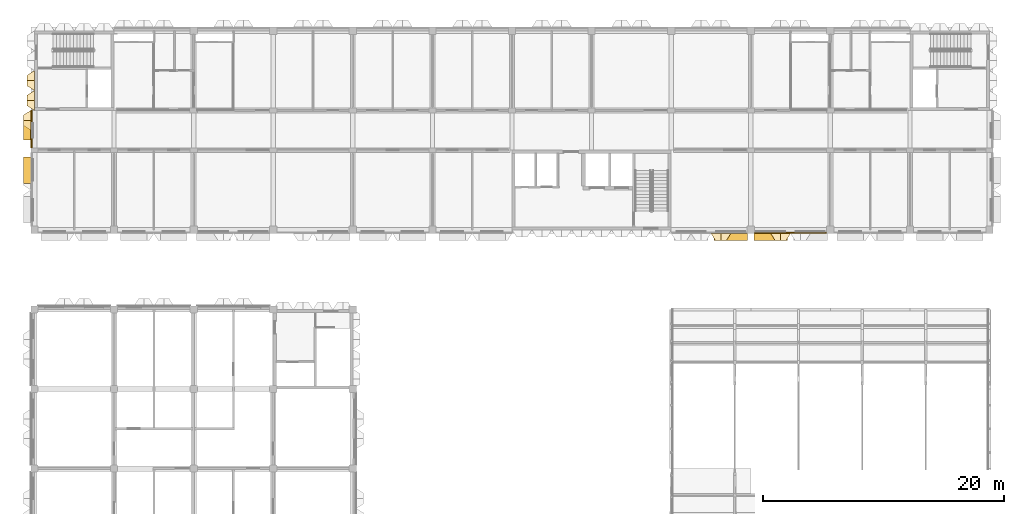
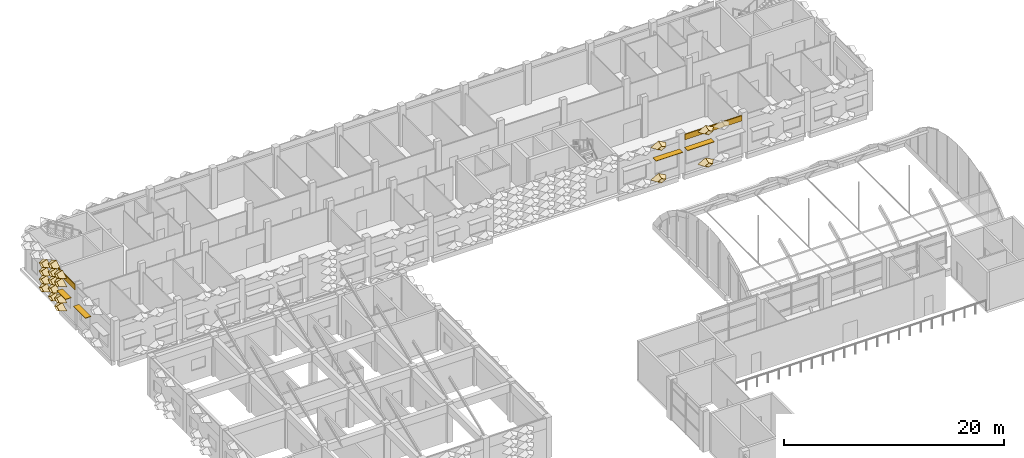
# One storey, part 90 of 102: 19 coverings, 4 shading devices.
"""IFC4 building model written with IfcOpenShell, lengths in metres."""

from ifc_helpers import new_model, entity, si_unit, direction, frame, frame_2d, origin, origin_2d, place, context, subcontext, project, spatial, rectangle, extrude, material, layer, layer_set, type_object, element, save


model = new_model("IFC4")

# Units and contexts
model_context = context("Model", 3, precision=1e-05, world=origin(), true_north=direction((0.0, 1.0)))
body_context = subcontext(model_context, "Body", "Model", "MODEL_VIEW")
ifc_project = project(units=[si_unit("LENGTHUNIT", "METRE"), si_unit("AREAUNIT", "SQUARE_METRE"), si_unit("VOLUMEUNIT", "CUBIC_METRE"), si_unit("PLANEANGLEUNIT", "RADIAN"), si_unit("MASSUNIT", "GRAM", prefix="KILO")], contexts=[model_context])

# Site, building, storey
site_placement = place(None, origin())
site = spatial("IfcSite", under=ifc_project, at=site_placement, CompositionType="ELEMENT")
building_placement = place(site_placement, origin())
building = spatial("IfcBuilding", under=site, at=building_placement, Name="Lantern Court Research Institute", CompositionType="ELEMENT")
storey_placement = place(building_placement, frame((0.0, 0.0, 9.89990234375)))
storey = spatial("IfcBuildingStorey", under=building, at=storey_placement, Name="L02", CompositionType="ELEMENT", Elevation=9.89990234375)

# Shading devices
ifc_material_1 = material(Name="Aluminium alloy 6063-T6", Category="aluminium")
ifc_layer_1 = layer(ifc_material_1, 0.050048828125)
ifc_layer_set_1 = layer_set([ifc_layer_1], Name="Aluminium alloy 6063-T6")
shading_device_type_1 = type_object("IfcShadingDeviceType", Name="Brise-soleil blade 1600 x 600 x 50 aluminium", PredefinedType="USERDEFINED", material=ifc_layer_set_1)
shading_device_1_placement = place(storey_placement, frame((-0.60009765625, 90.75, 2.39990234375), z_axis=(0.0, 0.0, 1.0), x_axis=(0.0, 1.0, 0.0)))
element("IfcShadingDevice", 1, at=shading_device_1_placement, inside=storey, type_object=shading_device_type_1, Name="Brise-soleil blade L02 W", ObjectType="LOUVRE", PredefinedType="USERDEFINED", context=body_context, shape_type="SweptSolid", body=[
    extrude(rectangle(XDim=1.60009765625, YDim=0.60009765625, at=origin_2d()), origin(), (0.0, 0.0, 1.0), 0.050048828125),
])
ifc_material_2 = material(Name="Aluminium alloy 6063-T6", Category="aluminium")
ifc_layer_2 = layer(ifc_material_2, 0.050048828125)
ifc_layer_set_2 = layer_set([ifc_layer_2], Name="Aluminium alloy 6063-T6")
shading_device_type_2 = type_object("IfcShadingDeviceType", Name="Brise-soleil blade 2200 x 600 x 50 aluminium", PredefinedType="USERDEFINED", material=ifc_layer_set_2)
shading_device_2_placement = place(storey_placement, frame((-0.60009765625, 87.449951171875, 2.5), z_axis=(0.0, 0.0, 1.0), x_axis=(0.0, 1.0, 0.0)))
element("IfcShadingDevice", 2, at=shading_device_2_placement, inside=storey, type_object=shading_device_type_2, Name="Brise-soleil blade L02 W", ObjectType="LOUVRE", PredefinedType="USERDEFINED", context=body_context, shape_type="SweptSolid", body=[
    extrude(rectangle(XDim=2.199951171875, YDim=0.60009765625, at=origin_2d()), origin(), (0.0, 0.0, 1.0), 0.050048828125),
])
ifc_material_3 = material(Name="Aluminium alloy 6063-T6", Category="aluminium")
ifc_layer_3 = layer(ifc_material_3, 0.050048828125)
ifc_layer_set_3 = layer_set([ifc_layer_3], Name="Aluminium alloy 6063-T6")
shading_device_type_3 = type_object("IfcShadingDeviceType", Name="Brise-soleil blade 2800 x 600 x 50 aluminium", PredefinedType="USERDEFINED", material=ifc_layer_set_3)
for number, where, z_axis, x_axis, name in (
    (3, (57.75, 81.89990234375, 2.80029296875), (0.0, 0.0, 1.0), (-1.0, 0.0, 0.0), "Brise-soleil blade L02 S"),
    (4, (61.050048828125, 81.89990234375, 2.80029296875), (0.0, 0.0, 1.0), (-1.0, 0.0, 0.0), "Brise-soleil blade L02 S"),
):
    element("IfcShadingDevice", number, at=place(storey_placement, frame(where, z_axis=z_axis, x_axis=x_axis)), inside=storey, type_object=shading_device_type_3, Name=name, ObjectType="LOUVRE", PredefinedType="USERDEFINED", context=body_context, shape_type="SweptSolid", body=[
        extrude(rectangle(XDim=2.800048828125, YDim=0.60009765625, at=origin_2d()), origin(), (0.0, 0.0, 1.0), 0.050048828125),
    ])

# Coverings
ifc_material_4 = material(Name="Aluminium composite panel with mineral wool insulation", Category="aluminium")
ifc_layer_4 = layer(ifc_material_4, 0.10009765625)
ifc_layer_set_4 = layer_set([ifc_layer_4], Name="Aluminium composite panel with mineral wool insulation")
covering_type_1 = type_object("IfcCoveringType", Name="Edge fascia panel 100 aluminium faced", PredefinedType="CLADDING", material=ifc_layer_set_4)
covering_1_placement = place(storey_placement, frame((65.699951171875, 82.25, 3.650146484375), z_axis=(0.0, 0.0, 1.0), x_axis=(-1.0, 0.0, 0.0)))
element("IfcCovering", 5, at=covering_1_placement, inside=storey, type_object=covering_type_1, Name="Edge fascia V6S L02 08", PredefinedType="CLADDING", context=body_context, shape_type="SweptSolid", body=[
    extrude(rectangle(XDim=6.0, YDim=0.10009765625, at=frame_2d((3.0, 0.0))), origin(), (0.0, 0.0, 1.0), 0.599853515625),
])
covering_2_placement = place(storey_placement, frame((-0.25, 89.300048828125, 3.650146484375), z_axis=(0.0, 0.0, 1.0), x_axis=(0.0, 1.0, 0.0)))
element("IfcCovering", 6, at=covering_2_placement, inside=storey, type_object=covering_type_1, Name="Edge fascia V6W L02 02", PredefinedType="CLADDING", context=body_context, shape_type="SweptSolid", body=[
    extrude(rectangle(XDim=3.099853515625, YDim=0.10009765625, at=frame_2d((1.5498046875, 0.0))), origin(), (0.0, 0.0, 1.0), 0.599853515625),
])
ifc_material_5 = material(Name="Anodised aluminium", Category="aluminium")
ifc_layer_5 = layer(ifc_material_5, 0.01611328125)
ifc_layer_set_5 = layer_set([ifc_layer_5], Name="Anodised aluminium")
covering_type_2 = type_object("IfcCoveringType", Name="Fin cassette 1650 x 900 x 600 aluminium", PredefinedType="CLADDING", material=ifc_layer_set_5)
covering_3_placement = place(storey_placement, frame((56.925048828125, 82.199951171875, 0.4501953125), z_axis=(0.0, -1.0, 0.0), x_axis=(1.0, 0.0, 0.0)))
cartesian_point_1 = entity("IfcCartesianPoint", [0.824951171875, 0.0])
cartesian_point_2 = entity("IfcCartesianPoint", [0.79150390625, 0.0])
cartesian_point_3 = entity("IfcCartesianPoint", [0.44189453125, 0.0])
cartesian_point_4 = entity("IfcCartesianPoint", [0.43359375, 0.0])
element("IfcCovering", 7, at=covering_3_placement, inside=storey, type_object=covering_type_2, Name="Fin cassette V6S-L02 1.35", PredefinedType="CLADDING", context=body_context, shape_type="SweptSolid", body=[
    entity("IfcExtrudedAreaSolidTapered", entity("IfcArbitraryProfileDefWithVoids", "AREA", None, entity("IfcPolyline", [cartesian_point_1, entity("IfcCartesianPoint", [0.0, 0.449951171875]), entity("IfcCartesianPoint", [-0.824951171875, 0.0]), entity("IfcCartesianPoint", [0.0, -0.449951171875]), cartesian_point_1]), [entity("IfcPolyline", [cartesian_point_2, entity("IfcCartesianPoint", [0.0, 0.431884765625]), entity("IfcCartesianPoint", [-0.79150390625, 0.0]), entity("IfcCartesianPoint", [0.0, -0.431884765625]), cartesian_point_2])]), entity("IfcAxis2Placement3D", entity("IfcCartesianPoint", [0.0, 0.0, 0.0])), entity("IfcDirection", [0.0, 0.0, 1.0]), 0.60009765625, entity("IfcArbitraryProfileDefWithVoids", "AREA", None, entity("IfcPolyline", [cartesian_point_3, entity("IfcCartesianPoint", [0.0, 0.240966796875]), entity("IfcCartesianPoint", [-0.44189453125, 0.0]), entity("IfcCartesianPoint", [0.0, -0.240966796875]), cartesian_point_3]), [entity("IfcPolyline", [cartesian_point_4, entity("IfcCartesianPoint", [0.0, 0.236572265625]), entity("IfcCartesianPoint", [-0.43359375, 0.0]), entity("IfcCartesianPoint", [0.0, -0.236572265625]), cartesian_point_4])])),
])
covering_4_placement = place(storey_placement, frame((61.875, 82.199951171875, 0.4501953125), z_axis=(0.0, -1.0, 0.0), x_axis=(1.0, 0.0, 0.0)))
cartesian_point_5 = entity("IfcCartesianPoint", [0.824951171875, 0.0])
cartesian_point_6 = entity("IfcCartesianPoint", [0.79150390625, 0.0])
cartesian_point_7 = entity("IfcCartesianPoint", [0.44189453125, 0.0])
cartesian_point_8 = entity("IfcCartesianPoint", [0.43359375, 0.0])
element("IfcCovering", 8, at=covering_4_placement, inside=storey, type_object=covering_type_2, Name="Fin cassette V6S-L02 1.38", PredefinedType="CLADDING", context=body_context, shape_type="SweptSolid", body=[
    entity("IfcExtrudedAreaSolidTapered", entity("IfcArbitraryProfileDefWithVoids", "AREA", None, entity("IfcPolyline", [cartesian_point_5, entity("IfcCartesianPoint", [0.0, 0.449951171875]), entity("IfcCartesianPoint", [-0.824951171875, 0.0]), entity("IfcCartesianPoint", [0.0, -0.449951171875]), cartesian_point_5]), [entity("IfcPolyline", [cartesian_point_6, entity("IfcCartesianPoint", [0.0, 0.431884765625]), entity("IfcCartesianPoint", [-0.79150390625, 0.0]), entity("IfcCartesianPoint", [0.0, -0.431884765625]), cartesian_point_6])]), entity("IfcAxis2Placement3D", entity("IfcCartesianPoint", [0.0, 0.0, 0.0])), entity("IfcDirection", [0.0, 0.0, 1.0]), 0.60009765625, entity("IfcArbitraryProfileDefWithVoids", "AREA", None, entity("IfcPolyline", [cartesian_point_7, entity("IfcCartesianPoint", [0.0, 0.240966796875]), entity("IfcCartesianPoint", [-0.44189453125, 0.0]), entity("IfcCartesianPoint", [0.0, -0.240966796875]), cartesian_point_7]), [entity("IfcPolyline", [cartesian_point_8, entity("IfcCartesianPoint", [0.0, 0.236572265625]), entity("IfcCartesianPoint", [-0.43359375, 0.0]), entity("IfcCartesianPoint", [0.0, -0.236572265625]), cartesian_point_8])])),
])
covering_5_placement = place(storey_placement, frame((56.925048828125, 82.199951171875, 4.050048828125), z_axis=(0.0, -1.0, 0.0), x_axis=(1.0, 0.0, 0.0)))
cartesian_point_9 = entity("IfcCartesianPoint", [0.824951171875, 0.0])
cartesian_point_10 = entity("IfcCartesianPoint", [0.79150390625, 0.0])
cartesian_point_11 = entity("IfcCartesianPoint", [0.44189453125, 0.0])
cartesian_point_12 = entity("IfcCartesianPoint", [0.43359375, 0.0])
element("IfcCovering", 9, at=covering_5_placement, inside=storey, type_object=covering_type_2, Name="Fin cassette V6S-L02 5.35", PredefinedType="CLADDING", context=body_context, shape_type="SweptSolid", body=[
    entity("IfcExtrudedAreaSolidTapered", entity("IfcArbitraryProfileDefWithVoids", "AREA", None, entity("IfcPolyline", [cartesian_point_9, entity("IfcCartesianPoint", [0.0, 0.449951171875]), entity("IfcCartesianPoint", [-0.824951171875, 0.0]), entity("IfcCartesianPoint", [0.0, -0.449951171875]), cartesian_point_9]), [entity("IfcPolyline", [cartesian_point_10, entity("IfcCartesianPoint", [0.0, 0.431884765625]), entity("IfcCartesianPoint", [-0.79150390625, 0.0]), entity("IfcCartesianPoint", [0.0, -0.431884765625]), cartesian_point_10])]), entity("IfcAxis2Placement3D", entity("IfcCartesianPoint", [0.0, 0.0, 0.0])), entity("IfcDirection", [0.0, 0.0, 1.0]), 0.60009765625, entity("IfcArbitraryProfileDefWithVoids", "AREA", None, entity("IfcPolyline", [cartesian_point_11, entity("IfcCartesianPoint", [0.0, 0.240966796875]), entity("IfcCartesianPoint", [-0.44189453125, 0.0]), entity("IfcCartesianPoint", [0.0, -0.240966796875]), cartesian_point_11]), [entity("IfcPolyline", [cartesian_point_12, entity("IfcCartesianPoint", [0.0, 0.236572265625]), entity("IfcCartesianPoint", [-0.43359375, 0.0]), entity("IfcCartesianPoint", [0.0, -0.236572265625]), cartesian_point_12])])),
])
covering_6_placement = place(storey_placement, frame((61.875, 82.199951171875, 4.050048828125), z_axis=(0.0, -1.0, 0.0), x_axis=(1.0, 0.0, 0.0)))
cartesian_point_13 = entity("IfcCartesianPoint", [0.824951171875, 0.0])
cartesian_point_14 = entity("IfcCartesianPoint", [0.79150390625, 0.0])
cartesian_point_15 = entity("IfcCartesianPoint", [0.44189453125, 0.0])
cartesian_point_16 = entity("IfcCartesianPoint", [0.43359375, 0.0])
element("IfcCovering", 10, at=covering_6_placement, inside=storey, type_object=covering_type_2, Name="Fin cassette V6S-L02 5.38", PredefinedType="CLADDING", context=body_context, shape_type="SweptSolid", body=[
    entity("IfcExtrudedAreaSolidTapered", entity("IfcArbitraryProfileDefWithVoids", "AREA", None, entity("IfcPolyline", [cartesian_point_13, entity("IfcCartesianPoint", [0.0, 0.449951171875]), entity("IfcCartesianPoint", [-0.824951171875, 0.0]), entity("IfcCartesianPoint", [0.0, -0.449951171875]), cartesian_point_13]), [entity("IfcPolyline", [cartesian_point_14, entity("IfcCartesianPoint", [0.0, 0.431884765625]), entity("IfcCartesianPoint", [-0.79150390625, 0.0]), entity("IfcCartesianPoint", [0.0, -0.431884765625]), cartesian_point_14])]), entity("IfcAxis2Placement3D", entity("IfcCartesianPoint", [0.0, 0.0, 0.0])), entity("IfcDirection", [0.0, 0.0, 1.0]), 0.60009765625, entity("IfcArbitraryProfileDefWithVoids", "AREA", None, entity("IfcPolyline", [cartesian_point_15, entity("IfcCartesianPoint", [0.0, 0.240966796875]), entity("IfcCartesianPoint", [-0.44189453125, 0.0]), entity("IfcCartesianPoint", [0.0, -0.240966796875]), cartesian_point_15]), [entity("IfcPolyline", [cartesian_point_16, entity("IfcCartesianPoint", [0.0, 0.236572265625]), entity("IfcCartesianPoint", [-0.43359375, 0.0]), entity("IfcCartesianPoint", [0.0, -0.236572265625]), cartesian_point_16])])),
])
covering_7_placement = place(storey_placement, frame((0.0, 93.22509765625, 0.4501953125), z_axis=(-1.0, 0.0, 0.0), x_axis=(0.0, -1.0, 0.0)))
cartesian_point_17 = entity("IfcCartesianPoint", [0.824951171875, 0.0])
cartesian_point_18 = entity("IfcCartesianPoint", [0.79150390625, 0.0])
cartesian_point_19 = entity("IfcCartesianPoint", [0.44189453125, 0.0])
cartesian_point_20 = entity("IfcCartesianPoint", [0.43359375, 0.0])
element("IfcCovering", 11, at=covering_7_placement, inside=storey, type_object=covering_type_2, Name="Fin cassette V6W-L02 1.57", PredefinedType="CLADDING", context=body_context, shape_type="SweptSolid", body=[
    entity("IfcExtrudedAreaSolidTapered", entity("IfcArbitraryProfileDefWithVoids", "AREA", None, entity("IfcPolyline", [cartesian_point_17, entity("IfcCartesianPoint", [0.0, 0.449951171875]), entity("IfcCartesianPoint", [-0.824951171875, 0.0]), entity("IfcCartesianPoint", [0.0, -0.449951171875]), cartesian_point_17]), [entity("IfcPolyline", [cartesian_point_18, entity("IfcCartesianPoint", [0.0, 0.431884765625]), entity("IfcCartesianPoint", [-0.79150390625, 0.0]), entity("IfcCartesianPoint", [0.0, -0.431884765625]), cartesian_point_18])]), entity("IfcAxis2Placement3D", entity("IfcCartesianPoint", [0.0, 0.0, 0.0])), entity("IfcDirection", [0.0, 0.0, 1.0]), 0.60009765625, entity("IfcArbitraryProfileDefWithVoids", "AREA", None, entity("IfcPolyline", [cartesian_point_19, entity("IfcCartesianPoint", [0.0, 0.240966796875]), entity("IfcCartesianPoint", [-0.44189453125, 0.0]), entity("IfcCartesianPoint", [0.0, -0.240966796875]), cartesian_point_19]), [entity("IfcPolyline", [cartesian_point_20, entity("IfcCartesianPoint", [0.0, 0.236572265625]), entity("IfcCartesianPoint", [-0.43359375, 0.0]), entity("IfcCartesianPoint", [0.0, -0.236572265625]), cartesian_point_20])])),
])
covering_8_placement = place(storey_placement, frame((0.0, 94.875, 0.4501953125), z_axis=(-1.0, 0.0, 0.0), x_axis=(0.0, -1.0, 0.0)))
cartesian_point_21 = entity("IfcCartesianPoint", [0.824951171875, 0.0])
cartesian_point_22 = entity("IfcCartesianPoint", [0.79150390625, 0.0])
cartesian_point_23 = entity("IfcCartesianPoint", [0.44189453125, 0.0])
cartesian_point_24 = entity("IfcCartesianPoint", [0.43359375, 0.0])
element("IfcCovering", 12, at=covering_8_placement, inside=storey, type_object=covering_type_2, Name="Fin cassette V6W-L02 1.58", PredefinedType="CLADDING", context=body_context, shape_type="SweptSolid", body=[
    entity("IfcExtrudedAreaSolidTapered", entity("IfcArbitraryProfileDefWithVoids", "AREA", None, entity("IfcPolyline", [cartesian_point_21, entity("IfcCartesianPoint", [0.0, 0.449951171875]), entity("IfcCartesianPoint", [-0.824951171875, 0.0]), entity("IfcCartesianPoint", [0.0, -0.449951171875]), cartesian_point_21]), [entity("IfcPolyline", [cartesian_point_22, entity("IfcCartesianPoint", [0.0, 0.431884765625]), entity("IfcCartesianPoint", [-0.79150390625, 0.0]), entity("IfcCartesianPoint", [0.0, -0.431884765625]), cartesian_point_22])]), entity("IfcAxis2Placement3D", entity("IfcCartesianPoint", [0.0, 0.0, 0.0])), entity("IfcDirection", [0.0, 0.0, 1.0]), 0.60009765625, entity("IfcArbitraryProfileDefWithVoids", "AREA", None, entity("IfcPolyline", [cartesian_point_23, entity("IfcCartesianPoint", [0.0, 0.240966796875]), entity("IfcCartesianPoint", [-0.44189453125, 0.0]), entity("IfcCartesianPoint", [0.0, -0.240966796875]), cartesian_point_23]), [entity("IfcPolyline", [cartesian_point_24, entity("IfcCartesianPoint", [0.0, 0.236572265625]), entity("IfcCartesianPoint", [-0.43359375, 0.0]), entity("IfcCartesianPoint", [0.0, -0.236572265625]), cartesian_point_24])])),
])
covering_9_placement = place(storey_placement, frame((0.0, 93.22509765625, 1.35009765625), z_axis=(-1.0, 0.0, 0.0), x_axis=(0.0, -1.0, 0.0)))
cartesian_point_25 = entity("IfcCartesianPoint", [0.824951171875, 0.0])
cartesian_point_26 = entity("IfcCartesianPoint", [0.79150390625, 0.0])
cartesian_point_27 = entity("IfcCartesianPoint", [0.44189453125, 0.0])
cartesian_point_28 = entity("IfcCartesianPoint", [0.43359375, 0.0])
element("IfcCovering", 13, at=covering_9_placement, inside=storey, type_object=covering_type_2, Name="Fin cassette V6W-L02 2.57", PredefinedType="CLADDING", context=body_context, shape_type="SweptSolid", body=[
    entity("IfcExtrudedAreaSolidTapered", entity("IfcArbitraryProfileDefWithVoids", "AREA", None, entity("IfcPolyline", [cartesian_point_25, entity("IfcCartesianPoint", [0.0, 0.449951171875]), entity("IfcCartesianPoint", [-0.824951171875, 0.0]), entity("IfcCartesianPoint", [0.0, -0.449951171875]), cartesian_point_25]), [entity("IfcPolyline", [cartesian_point_26, entity("IfcCartesianPoint", [0.0, 0.431884765625]), entity("IfcCartesianPoint", [-0.79150390625, 0.0]), entity("IfcCartesianPoint", [0.0, -0.431884765625]), cartesian_point_26])]), entity("IfcAxis2Placement3D", entity("IfcCartesianPoint", [0.0, 0.0, 0.0])), entity("IfcDirection", [0.0, 0.0, 1.0]), 0.60009765625, entity("IfcArbitraryProfileDefWithVoids", "AREA", None, entity("IfcPolyline", [cartesian_point_27, entity("IfcCartesianPoint", [0.0, 0.240966796875]), entity("IfcCartesianPoint", [-0.44189453125, 0.0]), entity("IfcCartesianPoint", [0.0, -0.240966796875]), cartesian_point_27]), [entity("IfcPolyline", [cartesian_point_28, entity("IfcCartesianPoint", [0.0, 0.236572265625]), entity("IfcCartesianPoint", [-0.43359375, 0.0]), entity("IfcCartesianPoint", [0.0, -0.236572265625]), cartesian_point_28])])),
])
covering_10_placement = place(storey_placement, frame((0.0, 94.875, 1.35009765625), z_axis=(-1.0, 0.0, 0.0), x_axis=(0.0, -1.0, 0.0)))
cartesian_point_29 = entity("IfcCartesianPoint", [0.824951171875, 0.0])
cartesian_point_30 = entity("IfcCartesianPoint", [0.79150390625, 0.0])
cartesian_point_31 = entity("IfcCartesianPoint", [0.44189453125, 0.0])
cartesian_point_32 = entity("IfcCartesianPoint", [0.43359375, 0.0])
element("IfcCovering", 14, at=covering_10_placement, inside=storey, type_object=covering_type_2, Name="Fin cassette V6W-L02 2.58", PredefinedType="CLADDING", context=body_context, shape_type="SweptSolid", body=[
    entity("IfcExtrudedAreaSolidTapered", entity("IfcArbitraryProfileDefWithVoids", "AREA", None, entity("IfcPolyline", [cartesian_point_29, entity("IfcCartesianPoint", [0.0, 0.449951171875]), entity("IfcCartesianPoint", [-0.824951171875, 0.0]), entity("IfcCartesianPoint", [0.0, -0.449951171875]), cartesian_point_29]), [entity("IfcPolyline", [cartesian_point_30, entity("IfcCartesianPoint", [0.0, 0.431884765625]), entity("IfcCartesianPoint", [-0.79150390625, 0.0]), entity("IfcCartesianPoint", [0.0, -0.431884765625]), cartesian_point_30])]), entity("IfcAxis2Placement3D", entity("IfcCartesianPoint", [0.0, 0.0, 0.0])), entity("IfcDirection", [0.0, 0.0, 1.0]), 0.60009765625, entity("IfcArbitraryProfileDefWithVoids", "AREA", None, entity("IfcPolyline", [cartesian_point_31, entity("IfcCartesianPoint", [0.0, 0.240966796875]), entity("IfcCartesianPoint", [-0.44189453125, 0.0]), entity("IfcCartesianPoint", [0.0, -0.240966796875]), cartesian_point_31]), [entity("IfcPolyline", [cartesian_point_32, entity("IfcCartesianPoint", [0.0, 0.236572265625]), entity("IfcCartesianPoint", [-0.43359375, 0.0]), entity("IfcCartesianPoint", [0.0, -0.236572265625]), cartesian_point_32])])),
])
covering_11_placement = place(storey_placement, frame((0.0, 93.22509765625, 2.25), z_axis=(-1.0, 0.0, 0.0), x_axis=(0.0, -1.0, 0.0)))
cartesian_point_33 = entity("IfcCartesianPoint", [0.824951171875, 0.0])
cartesian_point_34 = entity("IfcCartesianPoint", [0.79150390625, 0.0])
cartesian_point_35 = entity("IfcCartesianPoint", [0.44189453125, 0.0])
cartesian_point_36 = entity("IfcCartesianPoint", [0.43359375, 0.0])
element("IfcCovering", 15, at=covering_11_placement, inside=storey, type_object=covering_type_2, Name="Fin cassette V6W-L02 3.57", PredefinedType="CLADDING", context=body_context, shape_type="SweptSolid", body=[
    entity("IfcExtrudedAreaSolidTapered", entity("IfcArbitraryProfileDefWithVoids", "AREA", None, entity("IfcPolyline", [cartesian_point_33, entity("IfcCartesianPoint", [0.0, 0.449951171875]), entity("IfcCartesianPoint", [-0.824951171875, 0.0]), entity("IfcCartesianPoint", [0.0, -0.449951171875]), cartesian_point_33]), [entity("IfcPolyline", [cartesian_point_34, entity("IfcCartesianPoint", [0.0, 0.431884765625]), entity("IfcCartesianPoint", [-0.79150390625, 0.0]), entity("IfcCartesianPoint", [0.0, -0.431884765625]), cartesian_point_34])]), entity("IfcAxis2Placement3D", entity("IfcCartesianPoint", [0.0, 0.0, 0.0])), entity("IfcDirection", [0.0, 0.0, 1.0]), 0.60009765625, entity("IfcArbitraryProfileDefWithVoids", "AREA", None, entity("IfcPolyline", [cartesian_point_35, entity("IfcCartesianPoint", [0.0, 0.240966796875]), entity("IfcCartesianPoint", [-0.44189453125, 0.0]), entity("IfcCartesianPoint", [0.0, -0.240966796875]), cartesian_point_35]), [entity("IfcPolyline", [cartesian_point_36, entity("IfcCartesianPoint", [0.0, 0.236572265625]), entity("IfcCartesianPoint", [-0.43359375, 0.0]), entity("IfcCartesianPoint", [0.0, -0.236572265625]), cartesian_point_36])])),
])
covering_12_placement = place(storey_placement, frame((0.0, 94.875, 2.25), z_axis=(-1.0, 0.0, 0.0), x_axis=(0.0, -1.0, 0.0)))
cartesian_point_37 = entity("IfcCartesianPoint", [0.824951171875, 0.0])
cartesian_point_38 = entity("IfcCartesianPoint", [0.79150390625, 0.0])
cartesian_point_39 = entity("IfcCartesianPoint", [0.44189453125, 0.0])
cartesian_point_40 = entity("IfcCartesianPoint", [0.43359375, 0.0])
element("IfcCovering", 16, at=covering_12_placement, inside=storey, type_object=covering_type_2, Name="Fin cassette V6W-L02 3.58", PredefinedType="CLADDING", context=body_context, shape_type="SweptSolid", body=[
    entity("IfcExtrudedAreaSolidTapered", entity("IfcArbitraryProfileDefWithVoids", "AREA", None, entity("IfcPolyline", [cartesian_point_37, entity("IfcCartesianPoint", [0.0, 0.449951171875]), entity("IfcCartesianPoint", [-0.824951171875, 0.0]), entity("IfcCartesianPoint", [0.0, -0.449951171875]), cartesian_point_37]), [entity("IfcPolyline", [cartesian_point_38, entity("IfcCartesianPoint", [0.0, 0.431884765625]), entity("IfcCartesianPoint", [-0.79150390625, 0.0]), entity("IfcCartesianPoint", [0.0, -0.431884765625]), cartesian_point_38])]), entity("IfcAxis2Placement3D", entity("IfcCartesianPoint", [0.0, 0.0, 0.0])), entity("IfcDirection", [0.0, 0.0, 1.0]), 0.60009765625, entity("IfcArbitraryProfileDefWithVoids", "AREA", None, entity("IfcPolyline", [cartesian_point_39, entity("IfcCartesianPoint", [0.0, 0.240966796875]), entity("IfcCartesianPoint", [-0.44189453125, 0.0]), entity("IfcCartesianPoint", [0.0, -0.240966796875]), cartesian_point_39]), [entity("IfcPolyline", [cartesian_point_40, entity("IfcCartesianPoint", [0.0, 0.236572265625]), entity("IfcCartesianPoint", [-0.43359375, 0.0]), entity("IfcCartesianPoint", [0.0, -0.236572265625]), cartesian_point_40])])),
])
covering_13_placement = place(storey_placement, frame((0.0, 93.22509765625, 3.150146484375), z_axis=(-1.0, 0.0, 0.0), x_axis=(0.0, -1.0, 0.0)))
cartesian_point_41 = entity("IfcCartesianPoint", [0.824951171875, 0.0])
cartesian_point_42 = entity("IfcCartesianPoint", [0.79150390625, 0.0])
cartesian_point_43 = entity("IfcCartesianPoint", [0.44189453125, 0.0])
cartesian_point_44 = entity("IfcCartesianPoint", [0.43359375, 0.0])
element("IfcCovering", 17, at=covering_13_placement, inside=storey, type_object=covering_type_2, Name="Fin cassette V6W-L02 4.57", PredefinedType="CLADDING", context=body_context, shape_type="SweptSolid", body=[
    entity("IfcExtrudedAreaSolidTapered", entity("IfcArbitraryProfileDefWithVoids", "AREA", None, entity("IfcPolyline", [cartesian_point_41, entity("IfcCartesianPoint", [0.0, 0.449951171875]), entity("IfcCartesianPoint", [-0.824951171875, 0.0]), entity("IfcCartesianPoint", [0.0, -0.449951171875]), cartesian_point_41]), [entity("IfcPolyline", [cartesian_point_42, entity("IfcCartesianPoint", [0.0, 0.431884765625]), entity("IfcCartesianPoint", [-0.79150390625, 0.0]), entity("IfcCartesianPoint", [0.0, -0.431884765625]), cartesian_point_42])]), entity("IfcAxis2Placement3D", entity("IfcCartesianPoint", [0.0, 0.0, 0.0])), entity("IfcDirection", [0.0, 0.0, 1.0]), 0.60009765625, entity("IfcArbitraryProfileDefWithVoids", "AREA", None, entity("IfcPolyline", [cartesian_point_43, entity("IfcCartesianPoint", [0.0, 0.240966796875]), entity("IfcCartesianPoint", [-0.44189453125, 0.0]), entity("IfcCartesianPoint", [0.0, -0.240966796875]), cartesian_point_43]), [entity("IfcPolyline", [cartesian_point_44, entity("IfcCartesianPoint", [0.0, 0.236572265625]), entity("IfcCartesianPoint", [-0.43359375, 0.0]), entity("IfcCartesianPoint", [0.0, -0.236572265625]), cartesian_point_44])])),
])
covering_14_placement = place(storey_placement, frame((0.0, 94.875, 3.150146484375), z_axis=(-1.0, 0.0, 0.0), x_axis=(0.0, -1.0, 0.0)))
cartesian_point_45 = entity("IfcCartesianPoint", [0.824951171875, 0.0])
cartesian_point_46 = entity("IfcCartesianPoint", [0.79150390625, 0.0])
cartesian_point_47 = entity("IfcCartesianPoint", [0.44189453125, 0.0])
cartesian_point_48 = entity("IfcCartesianPoint", [0.43359375, 0.0])
element("IfcCovering", 18, at=covering_14_placement, inside=storey, type_object=covering_type_2, Name="Fin cassette V6W-L02 4.58", PredefinedType="CLADDING", context=body_context, shape_type="SweptSolid", body=[
    entity("IfcExtrudedAreaSolidTapered", entity("IfcArbitraryProfileDefWithVoids", "AREA", None, entity("IfcPolyline", [cartesian_point_45, entity("IfcCartesianPoint", [0.0, 0.449951171875]), entity("IfcCartesianPoint", [-0.824951171875, 0.0]), entity("IfcCartesianPoint", [0.0, -0.449951171875]), cartesian_point_45]), [entity("IfcPolyline", [cartesian_point_46, entity("IfcCartesianPoint", [0.0, 0.431884765625]), entity("IfcCartesianPoint", [-0.79150390625, 0.0]), entity("IfcCartesianPoint", [0.0, -0.431884765625]), cartesian_point_46])]), entity("IfcAxis2Placement3D", entity("IfcCartesianPoint", [0.0, 0.0, 0.0])), entity("IfcDirection", [0.0, 0.0, 1.0]), 0.60009765625, entity("IfcArbitraryProfileDefWithVoids", "AREA", None, entity("IfcPolyline", [cartesian_point_47, entity("IfcCartesianPoint", [0.0, 0.240966796875]), entity("IfcCartesianPoint", [-0.44189453125, 0.0]), entity("IfcCartesianPoint", [0.0, -0.240966796875]), cartesian_point_47]), [entity("IfcPolyline", [cartesian_point_48, entity("IfcCartesianPoint", [0.0, 0.236572265625]), entity("IfcCartesianPoint", [-0.43359375, 0.0]), entity("IfcCartesianPoint", [0.0, -0.236572265625]), cartesian_point_48])])),
])
covering_15_placement = place(storey_placement, frame((0.0, 93.22509765625, 4.050048828125), z_axis=(-1.0, 0.0, 0.0), x_axis=(0.0, -1.0, 0.0)))
cartesian_point_49 = entity("IfcCartesianPoint", [0.824951171875, 0.0])
cartesian_point_50 = entity("IfcCartesianPoint", [0.79150390625, 0.0])
cartesian_point_51 = entity("IfcCartesianPoint", [0.44189453125, 0.0])
cartesian_point_52 = entity("IfcCartesianPoint", [0.43359375, 0.0])
element("IfcCovering", 19, at=covering_15_placement, inside=storey, type_object=covering_type_2, Name="Fin cassette V6W-L02 5.57", PredefinedType="CLADDING", context=body_context, shape_type="SweptSolid", body=[
    entity("IfcExtrudedAreaSolidTapered", entity("IfcArbitraryProfileDefWithVoids", "AREA", None, entity("IfcPolyline", [cartesian_point_49, entity("IfcCartesianPoint", [0.0, 0.449951171875]), entity("IfcCartesianPoint", [-0.824951171875, 0.0]), entity("IfcCartesianPoint", [0.0, -0.449951171875]), cartesian_point_49]), [entity("IfcPolyline", [cartesian_point_50, entity("IfcCartesianPoint", [0.0, 0.431884765625]), entity("IfcCartesianPoint", [-0.79150390625, 0.0]), entity("IfcCartesianPoint", [0.0, -0.431884765625]), cartesian_point_50])]), entity("IfcAxis2Placement3D", entity("IfcCartesianPoint", [0.0, 0.0, 0.0])), entity("IfcDirection", [0.0, 0.0, 1.0]), 0.60009765625, entity("IfcArbitraryProfileDefWithVoids", "AREA", None, entity("IfcPolyline", [cartesian_point_51, entity("IfcCartesianPoint", [0.0, 0.240966796875]), entity("IfcCartesianPoint", [-0.44189453125, 0.0]), entity("IfcCartesianPoint", [0.0, -0.240966796875]), cartesian_point_51]), [entity("IfcPolyline", [cartesian_point_52, entity("IfcCartesianPoint", [0.0, 0.236572265625]), entity("IfcCartesianPoint", [-0.43359375, 0.0]), entity("IfcCartesianPoint", [0.0, -0.236572265625]), cartesian_point_52])])),
])
covering_16_placement = place(storey_placement, frame((-0.300048828125, 91.574951171875, 0.4501953125), z_axis=(-1.0, 0.0, 0.0), x_axis=(0.0, -1.0, 0.0)))
cartesian_point_53 = entity("IfcCartesianPoint", [0.824951171875, 0.0])
cartesian_point_54 = entity("IfcCartesianPoint", [0.79150390625, 0.0])
cartesian_point_55 = entity("IfcCartesianPoint", [0.44189453125, 0.0])
cartesian_point_56 = entity("IfcCartesianPoint", [0.43359375, 0.0])
element("IfcCovering", 20, at=covering_16_placement, inside=storey, type_object=covering_type_2, Name="Fin cassette V6W-L02 1.56", PredefinedType="CLADDING", context=body_context, shape_type="SweptSolid", body=[
    entity("IfcExtrudedAreaSolidTapered", entity("IfcArbitraryProfileDefWithVoids", "AREA", None, entity("IfcPolyline", [cartesian_point_53, entity("IfcCartesianPoint", [0.0, 0.449951171875]), entity("IfcCartesianPoint", [-0.824951171875, 0.0]), entity("IfcCartesianPoint", [0.0, -0.449951171875]), cartesian_point_53]), [entity("IfcPolyline", [cartesian_point_54, entity("IfcCartesianPoint", [0.0, 0.431884765625]), entity("IfcCartesianPoint", [-0.79150390625, 0.0]), entity("IfcCartesianPoint", [0.0, -0.431884765625]), cartesian_point_54])]), entity("IfcAxis2Placement3D", entity("IfcCartesianPoint", [0.0, 0.0, 0.0])), entity("IfcDirection", [0.0, 0.0, 1.0]), 0.60009765625, entity("IfcArbitraryProfileDefWithVoids", "AREA", None, entity("IfcPolyline", [cartesian_point_55, entity("IfcCartesianPoint", [0.0, 0.240966796875]), entity("IfcCartesianPoint", [-0.44189453125, 0.0]), entity("IfcCartesianPoint", [0.0, -0.240966796875]), cartesian_point_55]), [entity("IfcPolyline", [cartesian_point_56, entity("IfcCartesianPoint", [0.0, 0.236572265625]), entity("IfcCartesianPoint", [-0.43359375, 0.0]), entity("IfcCartesianPoint", [0.0, -0.236572265625]), cartesian_point_56])])),
])
covering_17_placement = place(storey_placement, frame((-0.300048828125, 91.574951171875, 1.35009765625), z_axis=(-1.0, 0.0, 0.0), x_axis=(0.0, -1.0, 0.0)))
cartesian_point_57 = entity("IfcCartesianPoint", [0.824951171875, 0.0])
cartesian_point_58 = entity("IfcCartesianPoint", [0.79150390625, 0.0])
cartesian_point_59 = entity("IfcCartesianPoint", [0.44189453125, 0.0])
cartesian_point_60 = entity("IfcCartesianPoint", [0.43359375, 0.0])
element("IfcCovering", 21, at=covering_17_placement, inside=storey, type_object=covering_type_2, Name="Fin cassette V6W-L02 2.56", PredefinedType="CLADDING", context=body_context, shape_type="SweptSolid", body=[
    entity("IfcExtrudedAreaSolidTapered", entity("IfcArbitraryProfileDefWithVoids", "AREA", None, entity("IfcPolyline", [cartesian_point_57, entity("IfcCartesianPoint", [0.0, 0.449951171875]), entity("IfcCartesianPoint", [-0.824951171875, 0.0]), entity("IfcCartesianPoint", [0.0, -0.449951171875]), cartesian_point_57]), [entity("IfcPolyline", [cartesian_point_58, entity("IfcCartesianPoint", [0.0, 0.431884765625]), entity("IfcCartesianPoint", [-0.79150390625, 0.0]), entity("IfcCartesianPoint", [0.0, -0.431884765625]), cartesian_point_58])]), entity("IfcAxis2Placement3D", entity("IfcCartesianPoint", [0.0, 0.0, 0.0])), entity("IfcDirection", [0.0, 0.0, 1.0]), 0.60009765625, entity("IfcArbitraryProfileDefWithVoids", "AREA", None, entity("IfcPolyline", [cartesian_point_59, entity("IfcCartesianPoint", [0.0, 0.240966796875]), entity("IfcCartesianPoint", [-0.44189453125, 0.0]), entity("IfcCartesianPoint", [0.0, -0.240966796875]), cartesian_point_59]), [entity("IfcPolyline", [cartesian_point_60, entity("IfcCartesianPoint", [0.0, 0.236572265625]), entity("IfcCartesianPoint", [-0.43359375, 0.0]), entity("IfcCartesianPoint", [0.0, -0.236572265625]), cartesian_point_60])])),
])
covering_18_placement = place(storey_placement, frame((-0.300048828125, 91.574951171875, 3.150146484375), z_axis=(-1.0, 0.0, 0.0), x_axis=(0.0, -1.0, 0.0)))
cartesian_point_61 = entity("IfcCartesianPoint", [0.824951171875, 0.0])
cartesian_point_62 = entity("IfcCartesianPoint", [0.79150390625, 0.0])
cartesian_point_63 = entity("IfcCartesianPoint", [0.44189453125, 0.0])
cartesian_point_64 = entity("IfcCartesianPoint", [0.43359375, 0.0])
element("IfcCovering", 22, at=covering_18_placement, inside=storey, type_object=covering_type_2, Name="Fin cassette V6W-L02 4.56", PredefinedType="CLADDING", context=body_context, shape_type="SweptSolid", body=[
    entity("IfcExtrudedAreaSolidTapered", entity("IfcArbitraryProfileDefWithVoids", "AREA", None, entity("IfcPolyline", [cartesian_point_61, entity("IfcCartesianPoint", [0.0, 0.449951171875]), entity("IfcCartesianPoint", [-0.824951171875, 0.0]), entity("IfcCartesianPoint", [0.0, -0.449951171875]), cartesian_point_61]), [entity("IfcPolyline", [cartesian_point_62, entity("IfcCartesianPoint", [0.0, 0.431884765625]), entity("IfcCartesianPoint", [-0.79150390625, 0.0]), entity("IfcCartesianPoint", [0.0, -0.431884765625]), cartesian_point_62])]), entity("IfcAxis2Placement3D", entity("IfcCartesianPoint", [0.0, 0.0, 0.0])), entity("IfcDirection", [0.0, 0.0, 1.0]), 0.60009765625, entity("IfcArbitraryProfileDefWithVoids", "AREA", None, entity("IfcPolyline", [cartesian_point_63, entity("IfcCartesianPoint", [0.0, 0.240966796875]), entity("IfcCartesianPoint", [-0.44189453125, 0.0]), entity("IfcCartesianPoint", [0.0, -0.240966796875]), cartesian_point_63]), [entity("IfcPolyline", [cartesian_point_64, entity("IfcCartesianPoint", [0.0, 0.236572265625]), entity("IfcCartesianPoint", [-0.43359375, 0.0]), entity("IfcCartesianPoint", [0.0, -0.236572265625]), cartesian_point_64])])),
])
covering_19_placement = place(storey_placement, frame((-0.300048828125, 91.574951171875, 4.050048828125), z_axis=(-1.0, 0.0, 0.0), x_axis=(0.0, -1.0, 0.0)))
cartesian_point_65 = entity("IfcCartesianPoint", [0.824951171875, 0.0])
cartesian_point_66 = entity("IfcCartesianPoint", [0.79150390625, 0.0])
cartesian_point_67 = entity("IfcCartesianPoint", [0.44189453125, 0.0])
cartesian_point_68 = entity("IfcCartesianPoint", [0.43359375, 0.0])
element("IfcCovering", 23, at=covering_19_placement, inside=storey, type_object=covering_type_2, Name="Fin cassette V6W-L02 5.56", PredefinedType="CLADDING", context=body_context, shape_type="SweptSolid", body=[
    entity("IfcExtrudedAreaSolidTapered", entity("IfcArbitraryProfileDefWithVoids", "AREA", None, entity("IfcPolyline", [cartesian_point_65, entity("IfcCartesianPoint", [0.0, 0.449951171875]), entity("IfcCartesianPoint", [-0.824951171875, 0.0]), entity("IfcCartesianPoint", [0.0, -0.449951171875]), cartesian_point_65]), [entity("IfcPolyline", [cartesian_point_66, entity("IfcCartesianPoint", [0.0, 0.431884765625]), entity("IfcCartesianPoint", [-0.79150390625, 0.0]), entity("IfcCartesianPoint", [0.0, -0.431884765625]), cartesian_point_66])]), entity("IfcAxis2Placement3D", entity("IfcCartesianPoint", [0.0, 0.0, 0.0])), entity("IfcDirection", [0.0, 0.0, 1.0]), 0.60009765625, entity("IfcArbitraryProfileDefWithVoids", "AREA", None, entity("IfcPolyline", [cartesian_point_67, entity("IfcCartesianPoint", [0.0, 0.240966796875]), entity("IfcCartesianPoint", [-0.44189453125, 0.0]), entity("IfcCartesianPoint", [0.0, -0.240966796875]), cartesian_point_67]), [entity("IfcPolyline", [cartesian_point_68, entity("IfcCartesianPoint", [0.0, 0.236572265625]), entity("IfcCartesianPoint", [-0.43359375, 0.0]), entity("IfcCartesianPoint", [0.0, -0.236572265625]), cartesian_point_68])])),
])

save(model, "model.ifc")
